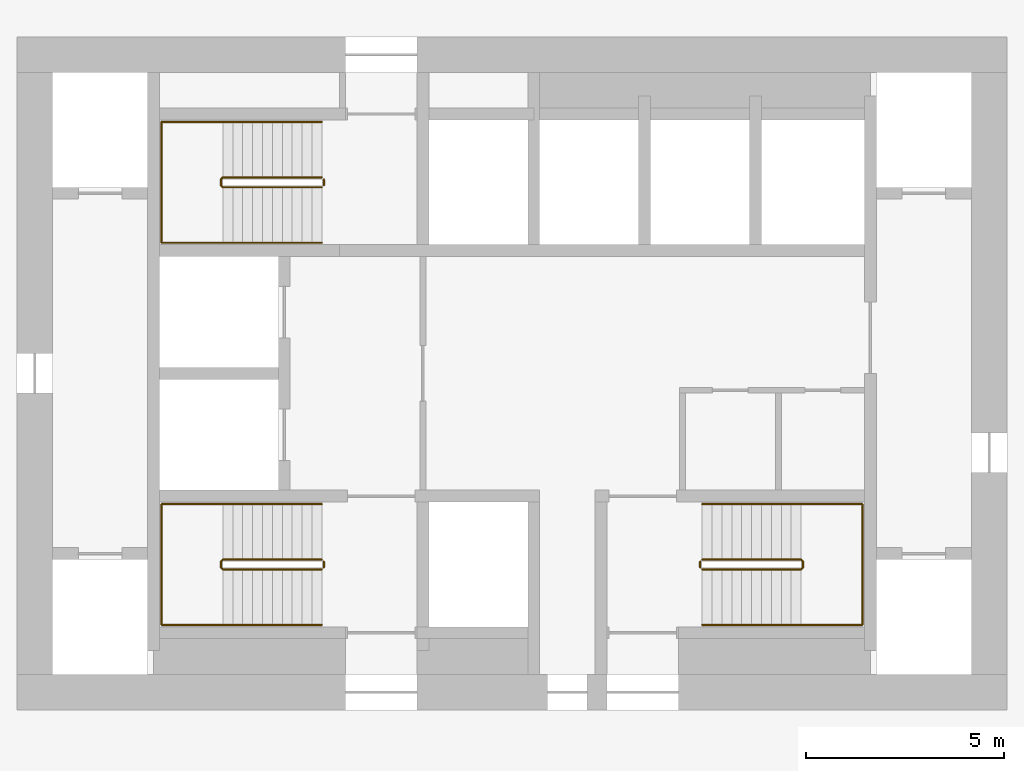
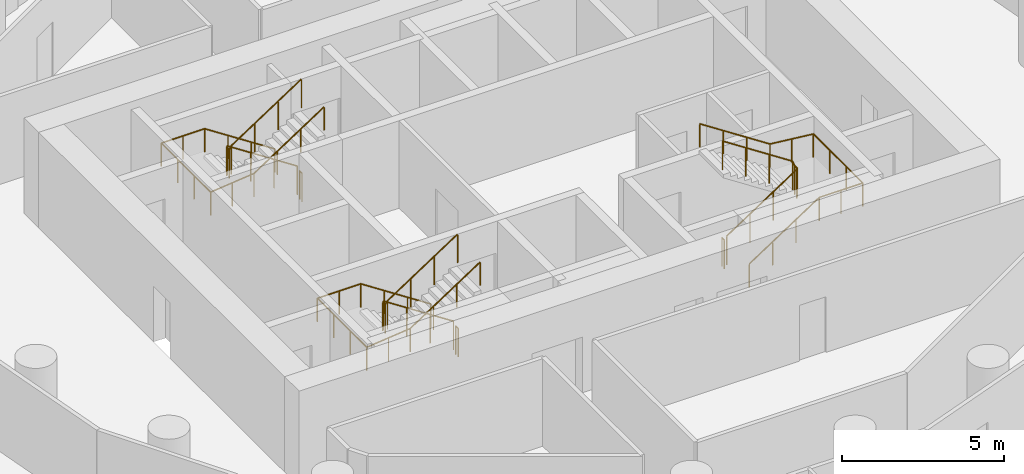
# One storey, part 9 of 9: 9 railings.
"""IFC4 building model written with IfcOpenShell, lengths in metres."""

from ifc_helpers import new_model, si_unit, direction, frame, origin, origin_2d, place, context, subcontext, project, spatial, circle, extrude, material, type_object, element, save


model = new_model("IFC4")

# Units and contexts
model_context = context("Model", 3, precision=1e-05, world=origin(), true_north=direction((0.0, 1.0)))
body_context = subcontext(model_context, "Body", "Model", "MODEL_VIEW")
ifc_project = project(units=[si_unit("LENGTHUNIT", "METRE"), si_unit("AREAUNIT", "SQUARE_METRE"), si_unit("VOLUMEUNIT", "CUBIC_METRE"), si_unit("PLANEANGLEUNIT", "RADIAN"), si_unit("MASSUNIT", "GRAM", prefix="KILO")], contexts=[model_context])

# Site, building, storey
site_placement = place(None, origin())
site = spatial("IfcSite", under=ifc_project, at=site_placement, CompositionType="ELEMENT")
building_placement = place(site_placement, origin())
building = spatial("IfcBuilding", under=site, at=building_placement, Name="Tracery Tower", CompositionType="ELEMENT")
storey_placement = place(building_placement, frame((0.0, 0.0, 187.199951171875)))
storey = spatial("IfcBuildingStorey", under=building, at=storey_placement, Name="L48", CompositionType="ELEMENT", Elevation=187.199951171875)

# Railings
ifc_material_1 = material(Name="Stainless steel and laminated glass", Category="steel")
railing_type_1 = type_object("IfcRailingType", Name="Stair guard 1100", PredefinedType="GUARDRAIL", material=ifc_material_1)
railing_1_placement = place(storey_placement, frame((-4.800048828125, -4.699951171875, 0.16357421875)))
element("IfcRailing", 1, at=railing_1_placement, inside=storey, type_object=railing_type_1, Name="L48 stair ST1 guard 1", PredefinedType="GUARDRAIL", context=body_context, shape_type="SweptSolid", body=[
    extrude(circle(Radius=0.02392578125, at=origin_2d()), frame((0.0, 0.0, 1.076171875), z_axis=(-0.83668449804, 0.0, 0.54768517484), x_axis=(0.0, -1.0, 0.0)), (0.0, 0.0, 1.0), 2.988037109375),
    extrude(circle(Radius=0.02392578125, at=origin_2d()), frame((-2.5, 0.0, 2.71240234375), z_axis=(-0.707106781187, -0.707106781187, 0.0), x_axis=(0.707106781187, -0.707106781187, 0.0)), (0.0, 0.0, 1.0), 0.07080078125),
    extrude(circle(Radius=0.02392578125, at=origin_2d()), frame((-2.550048828125, -0.050048828125, 2.71240234375), z_axis=(0.0, -1.0, 0.0), x_axis=(1.0, 0.0, 0.0)), (0.0, 0.0, 1.0), 0.14990234375),
    extrude(circle(Radius=0.02392578125, at=origin_2d()), frame((-2.550048828125, -0.199951171875, 2.71240234375), z_axis=(0.280808744504, -0.280808744504, 0.917765164963), x_axis=(0.707106781187, 0.707106781187, 0.0)), (0.0, 0.0, 1.0), 0.17822265625),
    extrude(circle(Radius=0.02392578125, at=origin_2d()), frame((-2.5, -0.25, 2.8759765625), z_axis=(0.83668449804, 0.0, 0.54768517484), x_axis=(0.0, 1.0, 0.0)), (0.0, 0.0, 1.0), 2.988037109375),
    extrude(circle(Radius=0.02099609375, at=origin_2d()), origin(), (0.0, 0.0, 1.0), 1.052001953125),
    extrude(circle(Radius=0.02099609375, at=origin_2d()), frame((-0.833251953125, 0.0, 0.54541015625)), (0.0, 0.0, 1.0), 1.052001953125),
    extrude(circle(Radius=0.02099609375, at=origin_2d()), frame((-1.666748046875, 0.0, 1.091064453125)), (0.0, 0.0, 1.0), 1.052001953125),
    extrude(circle(Radius=0.02099609375, at=origin_2d()), frame((-2.5, 0.0, 1.636474609375)), (0.0, 0.0, 1.0), 1.052001953125),
    extrude(circle(Radius=0.02099609375, at=origin_2d()), frame((-2.550048828125, -0.050048828125, 1.636474609375)), (0.0, 0.0, 1.0), 1.052001953125),
    extrude(circle(Radius=0.02099609375, at=origin_2d()), frame((-2.550048828125, -0.199951171875, 1.636474609375)), (0.0, 0.0, 1.0), 1.052001953125),
    extrude(circle(Radius=0.02099609375, at=origin_2d()), frame((-2.5, -0.25, 1.800048828125)), (0.0, 0.0, 1.0), 1.052001953125),
    extrude(circle(Radius=0.02099609375, at=origin_2d()), frame((-1.666748046875, -0.25, 2.345458984375)), (0.0, 0.0, 1.0), 1.052001953125),
    extrude(circle(Radius=0.02099609375, at=origin_2d()), frame((-0.833251953125, -0.25, 2.89111328125)), (0.0, 0.0, 1.0), 1.052001953125),
    extrude(circle(Radius=0.02099609375, at=origin_2d()), frame((0.0, -0.25, 3.4365234375)), (0.0, 0.0, 1.0), 1.052001953125),
])
railing_2_placement = place(storey_placement, frame((-4.75, -4.75, 0.0)))
element("IfcRailing", 2, at=railing_2_placement, inside=storey, type_object=railing_type_1, Name="L48 stair ST1 guard 2", PredefinedType="GUARDRAIL", context=body_context, shape_type="SweptSolid", body=[
    extrude(circle(Radius=0.02392578125, at=origin_2d()), frame((0.0, 0.0, 1.076171875), z_axis=(0.0, -1.0, 0.0), x_axis=(1.0, 0.0, 0.0)), (0.0, 0.0, 1.0), 0.14990234375),
    extrude(circle(Radius=0.02099609375, at=origin_2d()), origin(), (0.0, 0.0, 1.0), 1.052001953125),
    extrude(circle(Radius=0.02099609375, at=origin_2d()), frame((0.0, -0.14990234375, 0.0)), (0.0, 0.0, 1.0), 1.052001953125),
])
railing_3_placement = place(storey_placement, frame((-4.800048828125, 4.949951171875, 0.16357421875)))
element("IfcRailing", 3, at=railing_3_placement, inside=storey, type_object=railing_type_1, Name="L48 stair ST3 guard 1", PredefinedType="GUARDRAIL", context=body_context, shape_type="SweptSolid", body=[
    extrude(circle(Radius=0.02392578125, at=origin_2d()), frame((0.0, 0.0, 1.076171875), z_axis=(-0.83668449804, 0.0, 0.54768517484), x_axis=(0.0, -1.0, 0.0)), (0.0, 0.0, 1.0), 2.988037109375),
    extrude(circle(Radius=0.02392578125, at=origin_2d()), frame((-2.5, 0.0, 2.71240234375), z_axis=(-0.707106781187, -0.707106781187, 0.0), x_axis=(0.707106781187, -0.707106781187, 0.0)), (0.0, 0.0, 1.0), 0.07080078125),
    extrude(circle(Radius=0.02392578125, at=origin_2d()), frame((-2.550048828125, -0.050048828125, 2.71240234375), z_axis=(0.0, -1.0, 0.0), x_axis=(1.0, 0.0, 0.0)), (0.0, 0.0, 1.0), 0.14990234375),
    extrude(circle(Radius=0.02392578125, at=origin_2d()), frame((-2.550048828125, -0.199951171875, 2.71240234375), z_axis=(0.280808744504, -0.280808744504, 0.917765164963), x_axis=(0.707106781187, 0.707106781187, 0.0)), (0.0, 0.0, 1.0), 0.17822265625),
    extrude(circle(Radius=0.02392578125, at=origin_2d()), frame((-2.5, -0.25, 2.8759765625), z_axis=(0.83668449804, 0.0, 0.54768517484), x_axis=(0.0, 1.0, 0.0)), (0.0, 0.0, 1.0), 2.988037109375),
    extrude(circle(Radius=0.02099609375, at=origin_2d()), origin(), (0.0, 0.0, 1.0), 1.052001953125),
    extrude(circle(Radius=0.02099609375, at=origin_2d()), frame((-0.833251953125, 0.0, 0.54541015625)), (0.0, 0.0, 1.0), 1.052001953125),
    extrude(circle(Radius=0.02099609375, at=origin_2d()), frame((-1.666748046875, 0.0, 1.091064453125)), (0.0, 0.0, 1.0), 1.052001953125),
    extrude(circle(Radius=0.02099609375, at=origin_2d()), frame((-2.5, 0.0, 1.636474609375)), (0.0, 0.0, 1.0), 1.052001953125),
    extrude(circle(Radius=0.02099609375, at=origin_2d()), frame((-2.550048828125, -0.050048828125, 1.636474609375)), (0.0, 0.0, 1.0), 1.052001953125),
    extrude(circle(Radius=0.02099609375, at=origin_2d()), frame((-2.550048828125, -0.199951171875, 1.636474609375)), (0.0, 0.0, 1.0), 1.052001953125),
    extrude(circle(Radius=0.02099609375, at=origin_2d()), frame((-2.5, -0.25, 1.800048828125)), (0.0, 0.0, 1.0), 1.052001953125),
    extrude(circle(Radius=0.02099609375, at=origin_2d()), frame((-1.666748046875, -0.25, 2.345458984375)), (0.0, 0.0, 1.0), 1.052001953125),
    extrude(circle(Radius=0.02099609375, at=origin_2d()), frame((-0.833251953125, -0.25, 2.89111328125)), (0.0, 0.0, 1.0), 1.052001953125),
    extrude(circle(Radius=0.02099609375, at=origin_2d()), frame((0.0, -0.25, 3.4365234375)), (0.0, 0.0, 1.0), 1.052001953125),
])
railing_4_placement = place(storey_placement, frame((-4.75, 4.89990234375, 0.0)))
element("IfcRailing", 4, at=railing_4_placement, inside=storey, type_object=railing_type_1, Name="L48 stair ST3 guard 2", PredefinedType="GUARDRAIL", context=body_context, shape_type="SweptSolid", body=[
    extrude(circle(Radius=0.02392578125, at=origin_2d()), frame((0.0, 0.0, 1.076171875), z_axis=(0.0, -1.0, 0.0), x_axis=(1.0, 0.0, 0.0)), (0.0, 0.0, 1.0), 0.14990234375),
    extrude(circle(Radius=0.02099609375, at=origin_2d()), origin(), (0.0, 0.0, 1.0), 1.052001953125),
    extrude(circle(Radius=0.02099609375, at=origin_2d()), frame((0.0, -0.14990234375, 0.0)), (0.0, 0.0, 1.0), 1.052001953125),
])
railing_5_placement = place(storey_placement, frame((4.800048828125, -4.949951171875, 0.16357421875)))
element("IfcRailing", 5, at=railing_5_placement, inside=storey, type_object=railing_type_1, Name="L48 stair ST2 guard 1", PredefinedType="GUARDRAIL", context=body_context, shape_type="SweptSolid", body=[
    extrude(circle(Radius=0.02392578125, at=origin_2d()), frame((0.0, 0.0, 1.076171875), z_axis=(0.83668449804, 0.0, 0.54768517484), x_axis=(0.0, 1.0, 0.0)), (0.0, 0.0, 1.0), 2.988037109375),
    extrude(circle(Radius=0.02392578125, at=origin_2d()), frame((2.5, 0.0, 2.71240234375), z_axis=(0.707106781187, 0.707106781187, 0.0), x_axis=(-0.707106781187, 0.707106781187, 0.0)), (0.0, 0.0, 1.0), 0.07080078125),
    extrude(circle(Radius=0.02392578125, at=origin_2d()), frame((2.550048828125, 0.050048828125, 2.71240234375), z_axis=(0.0, 1.0, 0.0), x_axis=(-1.0, 0.0, 0.0)), (0.0, 0.0, 1.0), 0.14990234375),
    extrude(circle(Radius=0.02392578125, at=origin_2d()), frame((2.550048828125, 0.199951171875, 2.71240234375), z_axis=(-0.280808744504, 0.280808744504, 0.917765164963), x_axis=(-0.707106781187, -0.707106781187, 0.0)), (0.0, 0.0, 1.0), 0.17822265625),
    extrude(circle(Radius=0.02392578125, at=origin_2d()), frame((2.5, 0.25, 2.8759765625), z_axis=(-0.83668449804, 0.0, 0.54768517484), x_axis=(0.0, -1.0, 0.0)), (0.0, 0.0, 1.0), 2.988037109375),
    extrude(circle(Radius=0.02099609375, at=origin_2d()), origin(), (0.0, 0.0, 1.0), 1.052001953125),
    extrude(circle(Radius=0.02099609375, at=origin_2d()), frame((0.833251953125, 0.0, 0.54541015625)), (0.0, 0.0, 1.0), 1.052001953125),
    extrude(circle(Radius=0.02099609375, at=origin_2d()), frame((1.666748046875, 0.0, 1.091064453125)), (0.0, 0.0, 1.0), 1.052001953125),
    extrude(circle(Radius=0.02099609375, at=origin_2d()), frame((2.5, 0.0, 1.636474609375)), (0.0, 0.0, 1.0), 1.052001953125),
    extrude(circle(Radius=0.02099609375, at=origin_2d()), frame((2.550048828125, 0.050048828125, 1.636474609375)), (0.0, 0.0, 1.0), 1.052001953125),
    extrude(circle(Radius=0.02099609375, at=origin_2d()), frame((2.550048828125, 0.199951171875, 1.636474609375)), (0.0, 0.0, 1.0), 1.052001953125),
    extrude(circle(Radius=0.02099609375, at=origin_2d()), frame((2.5, 0.25, 1.800048828125)), (0.0, 0.0, 1.0), 1.052001953125),
    extrude(circle(Radius=0.02099609375, at=origin_2d()), frame((1.666748046875, 0.25, 2.345458984375)), (0.0, 0.0, 1.0), 1.052001953125),
    extrude(circle(Radius=0.02099609375, at=origin_2d()), frame((0.833251953125, 0.25, 2.89111328125)), (0.0, 0.0, 1.0), 1.052001953125),
    extrude(circle(Radius=0.02099609375, at=origin_2d()), frame((0.0, 0.25, 3.4365234375)), (0.0, 0.0, 1.0), 1.052001953125),
])
railing_6_placement = place(storey_placement, frame((4.75, -4.89990234375, 0.0)))
element("IfcRailing", 6, at=railing_6_placement, inside=storey, type_object=railing_type_1, Name="L48 stair ST2 guard 2", PredefinedType="GUARDRAIL", context=body_context, shape_type="SweptSolid", body=[
    extrude(circle(Radius=0.02392578125, at=origin_2d()), frame((0.0, 0.0, 1.076171875), z_axis=(0.0, 1.0, 0.0), x_axis=(-1.0, 0.0, 0.0)), (0.0, 0.0, 1.0), 0.14990234375),
    extrude(circle(Radius=0.02099609375, at=origin_2d()), origin(), (0.0, 0.0, 1.0), 1.052001953125),
    extrude(circle(Radius=0.02099609375, at=origin_2d()), frame((0.0, 0.14990234375, 0.0)), (0.0, 0.0, 1.0), 1.052001953125),
])
ifc_material_2 = material(Name="Stainless steel and laminated glass", Category="steel")
railing_type_2 = type_object("IfcRailingType", Name="Stair handrail 900", PredefinedType="HANDRAIL", material=ifc_material_2)
railing_7_placement = place(storey_placement, frame((-4.800048828125, -3.300048828125, 0.16357421875)))
element("IfcRailing", 7, at=railing_7_placement, inside=storey, type_object=railing_type_2, Name="L48 stair ST1 handrail 1", PredefinedType="HANDRAIL", context=body_context, shape_type="SweptSolid", body=[
    extrude(circle(Radius=0.02392578125, at=origin_2d()), frame((0.0, 0.0, 0.8759765625), z_axis=(-0.83668449804, 0.0, 0.54768517484), x_axis=(0.0, -1.0, 0.0)), (0.0, 0.0, 1.0), 2.988037109375),
    extrude(circle(Radius=0.02392578125, at=origin_2d()), frame((-2.5, 0.0, 2.51220703125), z_axis=(-1.0, 0.0, 0.0), x_axis=(0.0, -1.0, 0.0)), (0.0, 0.0, 1.0), 1.550048828125),
    extrude(circle(Radius=0.02392578125, at=origin_2d()), frame((-4.050048828125, 0.0, 2.51220703125), z_axis=(0.0, -1.0, 0.0), x_axis=(1.0, 0.0, 0.0)), (0.0, 0.0, 1.0), 3.050048828125),
    extrude(circle(Radius=0.02392578125, at=origin_2d()), frame((-4.050048828125, -3.050048828125, 2.51220703125), z_axis=(0.994477953863, 0.0, 0.104945696817), x_axis=(0.0, 1.0, 0.0)), (0.0, 0.0, 1.0), 1.55859375),
    extrude(circle(Radius=0.02392578125, at=origin_2d()), frame((-2.5, -3.050048828125, 2.67578125), z_axis=(0.83668449804, 0.0, 0.54768517484), x_axis=(0.0, 1.0, 0.0)), (0.0, 0.0, 1.0), 2.988037109375),
    extrude(circle(Radius=0.02099609375, at=origin_2d()), origin(), (0.0, 0.0, 1.0), 0.851806640625),
    extrude(circle(Radius=0.02099609375, at=origin_2d()), frame((-0.833251953125, 0.0, 0.54541015625)), (0.0, 0.0, 1.0), 0.851806640625),
    extrude(circle(Radius=0.02099609375, at=origin_2d()), frame((-1.666748046875, 0.0, 1.091064453125)), (0.0, 0.0, 1.0), 0.851806640625),
    extrude(circle(Radius=0.02099609375, at=origin_2d()), frame((-2.5, 0.0, 1.636474609375)), (0.0, 0.0, 1.0), 0.851806640625),
    extrude(circle(Radius=0.02099609375, at=origin_2d()), frame((-3.27490234375, 0.0, 1.636474609375)), (0.0, 0.0, 1.0), 0.851806640625),
    extrude(circle(Radius=0.02099609375, at=origin_2d()), frame((-4.050048828125, 0.0, 1.636474609375)), (0.0, 0.0, 1.0), 0.851806640625),
    extrude(circle(Radius=0.02099609375, at=origin_2d()), frame((-4.050048828125, -1.0166015625, 1.636474609375)), (0.0, 0.0, 1.0), 0.851806640625),
    extrude(circle(Radius=0.02099609375, at=origin_2d()), frame((-4.050048828125, -2.033447265625, 1.636474609375)), (0.0, 0.0, 1.0), 0.851806640625),
    extrude(circle(Radius=0.02099609375, at=origin_2d()), frame((-4.050048828125, -3.050048828125, 1.636474609375)), (0.0, 0.0, 1.0), 0.851806640625),
    extrude(circle(Radius=0.02099609375, at=origin_2d()), frame((-3.27490234375, -3.050048828125, 1.71826171875)), (0.0, 0.0, 1.0), 0.851806640625),
    extrude(circle(Radius=0.02099609375, at=origin_2d()), frame((-2.5, -3.050048828125, 1.800048828125)), (0.0, 0.0, 1.0), 0.851806640625),
    extrude(circle(Radius=0.02099609375, at=origin_2d()), frame((-1.666748046875, -3.050048828125, 2.345458984375)), (0.0, 0.0, 1.0), 0.851806640625),
    extrude(circle(Radius=0.02099609375, at=origin_2d()), frame((-0.833251953125, -3.050048828125, 2.89111328125)), (0.0, 0.0, 1.0), 0.851806640625),
    extrude(circle(Radius=0.02099609375, at=origin_2d()), frame((0.0, -3.050048828125, 3.4365234375)), (0.0, 0.0, 1.0), 0.851806640625),
])
railing_8_placement = place(storey_placement, frame((-4.800048828125, 6.35009765625, 0.16357421875)))
element("IfcRailing", 8, at=railing_8_placement, inside=storey, type_object=railing_type_2, Name="L48 stair ST3 handrail 1", PredefinedType="HANDRAIL", context=body_context, shape_type="SweptSolid", body=[
    extrude(circle(Radius=0.02392578125, at=origin_2d()), frame((0.0, 0.0, 0.8759765625), z_axis=(-0.83668449804, 0.0, 0.54768517484), x_axis=(0.0, -1.0, 0.0)), (0.0, 0.0, 1.0), 2.988037109375),
    extrude(circle(Radius=0.02392578125, at=origin_2d()), frame((-2.5, 0.0, 2.51220703125), z_axis=(-1.0, 0.0, 0.0), x_axis=(0.0, -1.0, 0.0)), (0.0, 0.0, 1.0), 1.550048828125),
    extrude(circle(Radius=0.02392578125, at=origin_2d()), frame((-4.050048828125, 0.0, 2.51220703125), z_axis=(0.0, -1.0, 0.0), x_axis=(1.0, 0.0, 0.0)), (0.0, 0.0, 1.0), 3.050048828125),
    extrude(circle(Radius=0.02392578125, at=origin_2d()), frame((-4.050048828125, -3.050048828125, 2.51220703125), z_axis=(0.994477953863, 0.0, 0.104945696817), x_axis=(0.0, 1.0, 0.0)), (0.0, 0.0, 1.0), 1.55859375),
    extrude(circle(Radius=0.02392578125, at=origin_2d()), frame((-2.5, -3.050048828125, 2.67578125), z_axis=(0.83668449804, 0.0, 0.54768517484), x_axis=(0.0, 1.0, 0.0)), (0.0, 0.0, 1.0), 2.988037109375),
    extrude(circle(Radius=0.02099609375, at=origin_2d()), origin(), (0.0, 0.0, 1.0), 0.851806640625),
    extrude(circle(Radius=0.02099609375, at=origin_2d()), frame((-0.833251953125, 0.0, 0.54541015625)), (0.0, 0.0, 1.0), 0.851806640625),
    extrude(circle(Radius=0.02099609375, at=origin_2d()), frame((-1.666748046875, 0.0, 1.091064453125)), (0.0, 0.0, 1.0), 0.851806640625),
    extrude(circle(Radius=0.02099609375, at=origin_2d()), frame((-2.5, 0.0, 1.636474609375)), (0.0, 0.0, 1.0), 0.851806640625),
    extrude(circle(Radius=0.02099609375, at=origin_2d()), frame((-3.27490234375, 0.0, 1.636474609375)), (0.0, 0.0, 1.0), 0.851806640625),
    extrude(circle(Radius=0.02099609375, at=origin_2d()), frame((-4.050048828125, 0.0, 1.636474609375)), (0.0, 0.0, 1.0), 0.851806640625),
    extrude(circle(Radius=0.02099609375, at=origin_2d()), frame((-4.050048828125, -1.0166015625, 1.636474609375)), (0.0, 0.0, 1.0), 0.851806640625),
    extrude(circle(Radius=0.02099609375, at=origin_2d()), frame((-4.050048828125, -2.033447265625, 1.636474609375)), (0.0, 0.0, 1.0), 0.851806640625),
    extrude(circle(Radius=0.02099609375, at=origin_2d()), frame((-4.050048828125, -3.050048828125, 1.636474609375)), (0.0, 0.0, 1.0), 0.851806640625),
    extrude(circle(Radius=0.02099609375, at=origin_2d()), frame((-3.27490234375, -3.050048828125, 1.71826171875)), (0.0, 0.0, 1.0), 0.851806640625),
    extrude(circle(Radius=0.02099609375, at=origin_2d()), frame((-2.5, -3.050048828125, 1.800048828125)), (0.0, 0.0, 1.0), 0.851806640625),
    extrude(circle(Radius=0.02099609375, at=origin_2d()), frame((-1.666748046875, -3.050048828125, 2.345458984375)), (0.0, 0.0, 1.0), 0.851806640625),
    extrude(circle(Radius=0.02099609375, at=origin_2d()), frame((-0.833251953125, -3.050048828125, 2.89111328125)), (0.0, 0.0, 1.0), 0.851806640625),
    extrude(circle(Radius=0.02099609375, at=origin_2d()), frame((0.0, -3.050048828125, 3.4365234375)), (0.0, 0.0, 1.0), 0.851806640625),
])
railing_9_placement = place(storey_placement, frame((4.800048828125, -6.35009765625, 0.16357421875)))
element("IfcRailing", 9, at=railing_9_placement, inside=storey, type_object=railing_type_2, Name="L48 stair ST2 handrail 1", PredefinedType="HANDRAIL", context=body_context, shape_type="SweptSolid", body=[
    extrude(circle(Radius=0.02392578125, at=origin_2d()), frame((0.0, 0.0, 0.8759765625), z_axis=(0.83668449804, 0.0, 0.54768517484), x_axis=(0.0, 1.0, 0.0)), (0.0, 0.0, 1.0), 2.988037109375),
    extrude(circle(Radius=0.02392578125, at=origin_2d()), frame((2.5, 0.0, 2.51220703125), z_axis=(1.0, 0.0, 0.0), x_axis=(0.0, 1.0, 0.0)), (0.0, 0.0, 1.0), 1.550048828125),
    extrude(circle(Radius=0.02392578125, at=origin_2d()), frame((4.050048828125, 0.0, 2.51220703125), z_axis=(0.0, 1.0, 0.0), x_axis=(-1.0, 0.0, 0.0)), (0.0, 0.0, 1.0), 3.050048828125),
    extrude(circle(Radius=0.02392578125, at=origin_2d()), frame((4.050048828125, 3.050048828125, 2.51220703125), z_axis=(-0.994477953863, 0.0, 0.104945696817), x_axis=(0.0, -1.0, 0.0)), (0.0, 0.0, 1.0), 1.55859375),
    extrude(circle(Radius=0.02392578125, at=origin_2d()), frame((2.5, 3.050048828125, 2.67578125), z_axis=(-0.83668449804, 0.0, 0.54768517484), x_axis=(0.0, -1.0, 0.0)), (0.0, 0.0, 1.0), 2.988037109375),
    extrude(circle(Radius=0.02099609375, at=origin_2d()), origin(), (0.0, 0.0, 1.0), 0.851806640625),
    extrude(circle(Radius=0.02099609375, at=origin_2d()), frame((0.833251953125, 0.0, 0.54541015625)), (0.0, 0.0, 1.0), 0.851806640625),
    extrude(circle(Radius=0.02099609375, at=origin_2d()), frame((1.666748046875, 0.0, 1.091064453125)), (0.0, 0.0, 1.0), 0.851806640625),
    extrude(circle(Radius=0.02099609375, at=origin_2d()), frame((2.5, 0.0, 1.636474609375)), (0.0, 0.0, 1.0), 0.851806640625),
    extrude(circle(Radius=0.02099609375, at=origin_2d()), frame((3.27490234375, 0.0, 1.636474609375)), (0.0, 0.0, 1.0), 0.851806640625),
    extrude(circle(Radius=0.02099609375, at=origin_2d()), frame((4.050048828125, 0.0, 1.636474609375)), (0.0, 0.0, 1.0), 0.851806640625),
    extrude(circle(Radius=0.02099609375, at=origin_2d()), frame((4.050048828125, 1.0166015625, 1.636474609375)), (0.0, 0.0, 1.0), 0.851806640625),
    extrude(circle(Radius=0.02099609375, at=origin_2d()), frame((4.050048828125, 2.033447265625, 1.636474609375)), (0.0, 0.0, 1.0), 0.851806640625),
    extrude(circle(Radius=0.02099609375, at=origin_2d()), frame((4.050048828125, 3.050048828125, 1.636474609375)), (0.0, 0.0, 1.0), 0.851806640625),
    extrude(circle(Radius=0.02099609375, at=origin_2d()), frame((3.27490234375, 3.050048828125, 1.71826171875)), (0.0, 0.0, 1.0), 0.851806640625),
    extrude(circle(Radius=0.02099609375, at=origin_2d()), frame((2.5, 3.050048828125, 1.800048828125)), (0.0, 0.0, 1.0), 0.851806640625),
    extrude(circle(Radius=0.02099609375, at=origin_2d()), frame((1.666748046875, 3.050048828125, 2.345458984375)), (0.0, 0.0, 1.0), 0.851806640625),
    extrude(circle(Radius=0.02099609375, at=origin_2d()), frame((0.833251953125, 3.050048828125, 2.89111328125)), (0.0, 0.0, 1.0), 0.851806640625),
    extrude(circle(Radius=0.02099609375, at=origin_2d()), frame((0.0, 3.050048828125, 3.4365234375)), (0.0, 0.0, 1.0), 0.851806640625),
])

save(model, "model.ifc")
